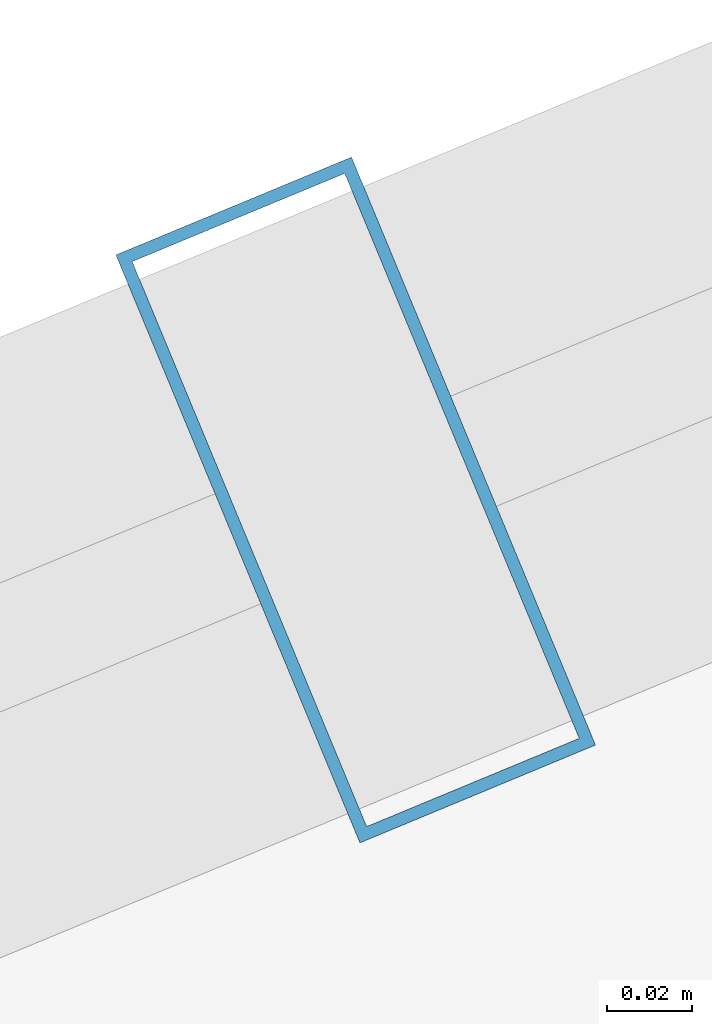
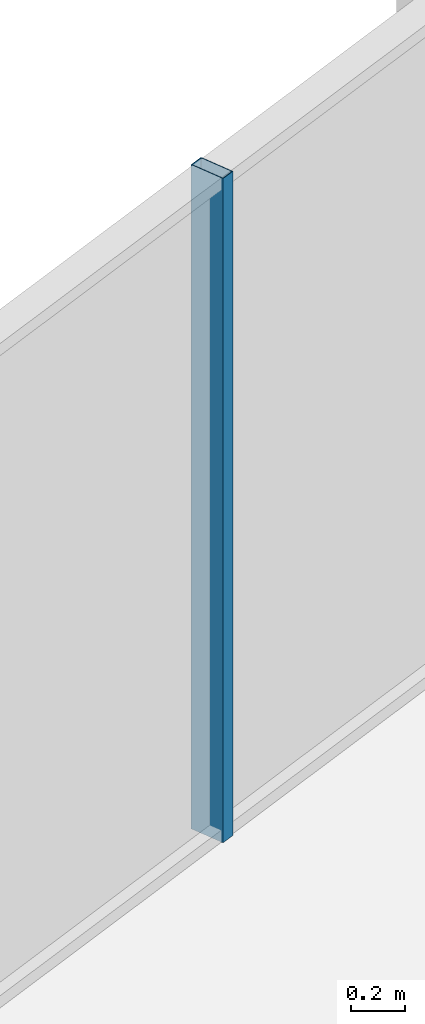
# One storey, part 23 of 31: 1 member, 1 element without a shape of its own.
"""IFC4 building model written with IfcOpenShell, lengths in metres."""

from ifc_helpers import new_model, si_unit, direction, frame, origin, origin_2d, place, context, subcontext, project, spatial, hollow_rectangle, extrude, source, transform, mapped, material, layer, layer_set, material_profile, profile_set, type_object, element, aggregate, save


model = new_model("IFC4")

# Units and contexts
model_context = context("Model", 3, precision=1e-05, world=origin(), true_north=direction((0.0, 1.0)))
body_context = subcontext(model_context, "Body", "Model", "MODEL_VIEW")
ifc_project = project(units=[si_unit("LENGTHUNIT", "METRE"), si_unit("AREAUNIT", "SQUARE_METRE"), si_unit("VOLUMEUNIT", "CUBIC_METRE"), si_unit("PLANEANGLEUNIT", "RADIAN"), si_unit("MASSUNIT", "GRAM", prefix="KILO")], contexts=[model_context])

# Site, building, storey
site_placement = place(None, origin())
site = spatial("IfcSite", under=ifc_project, at=site_placement, CompositionType="ELEMENT")
building_placement = place(site_placement, origin())
building = spatial("IfcBuilding", under=site, at=building_placement, Name="Veraguas Prism Commons", CompositionType="ELEMENT")
storey_placement = place(building_placement, frame((0.0, 0.0, 233.300048828125)))
storey = spatial("IfcBuildingStorey", under=building, at=storey_placement, Name="L66", CompositionType="ELEMENT", Elevation=233.300048828125)

# Curtain wall, member
ifc_material = material(Name="Anodised aluminium EN AW-6063 T6", Category="aluminium")
ifc_layer = layer(ifc_material, 0.14990234375, Name="Unitised Flush Curtain Wall Zone 4", Category="aluminium")
ifc_layer_set = layer_set([ifc_layer], Name="Anodised aluminium EN AW-6063 T6")
curtain_wall_type = type_object("IfcCurtainWallType", Name="Unitised Flush Curtain Wall Zone 4", PredefinedType="NOTDEFINED", material=ifc_layer_set)
curtain_wall_placement = place(storey_placement, origin())
curtain_wall = element("IfcCurtainWall", 1, at=curtain_wall_placement, inside=storey, type_object=curtain_wall_type, Name="Tower Facade Curtain Wall L66-F2", PredefinedType="NOTDEFINED")
ifc_material_profile = material_profile(ifc_material, hollow_rectangle(XDim=0.06005859375, YDim=0.14990234375, WallThickness=0.0029296875, at=origin_2d()), Name="AL60X150X3")
ifc_profile_set = profile_set([ifc_material_profile], Name="Anodised aluminium EN AW-6063 T6")
member_type = type_object("IfcMemberType", Name="Curtain Wall Mullion Upper AL 60x150x3", PredefinedType="MULLION", material=ifc_profile_set)
shared_shape = source(origin(), body_context, "Body", "SweptSolid", [
    extrude(hollow_rectangle(XDim=0.06005859375, YDim=0.14990234375, WallThickness=0.0029296875, at=origin_2d()), origin(), (0.0, 0.0, 1.0), 3.014892578125),
])
member_placement = place(storey_placement, frame((17.692626953125, 39.197509765625, 0.0), z_axis=(0.0, 0.0, 1.0), x_axis=(-0.923614820068, -0.383321880606, 0.0)))
member = element("IfcMember", 2, at=member_placement, type_object=member_type, Name="CW-Z4 Mullion 3", PredefinedType="MULLION", context=body_context, shape_type="MappedRepresentation", body=[
    mapped(shared_shape, transform((0.0, 0.0, 0.0), scale=1.0)),
])
aggregate(curtain_wall, [member])

save(model, "model.ifc")
